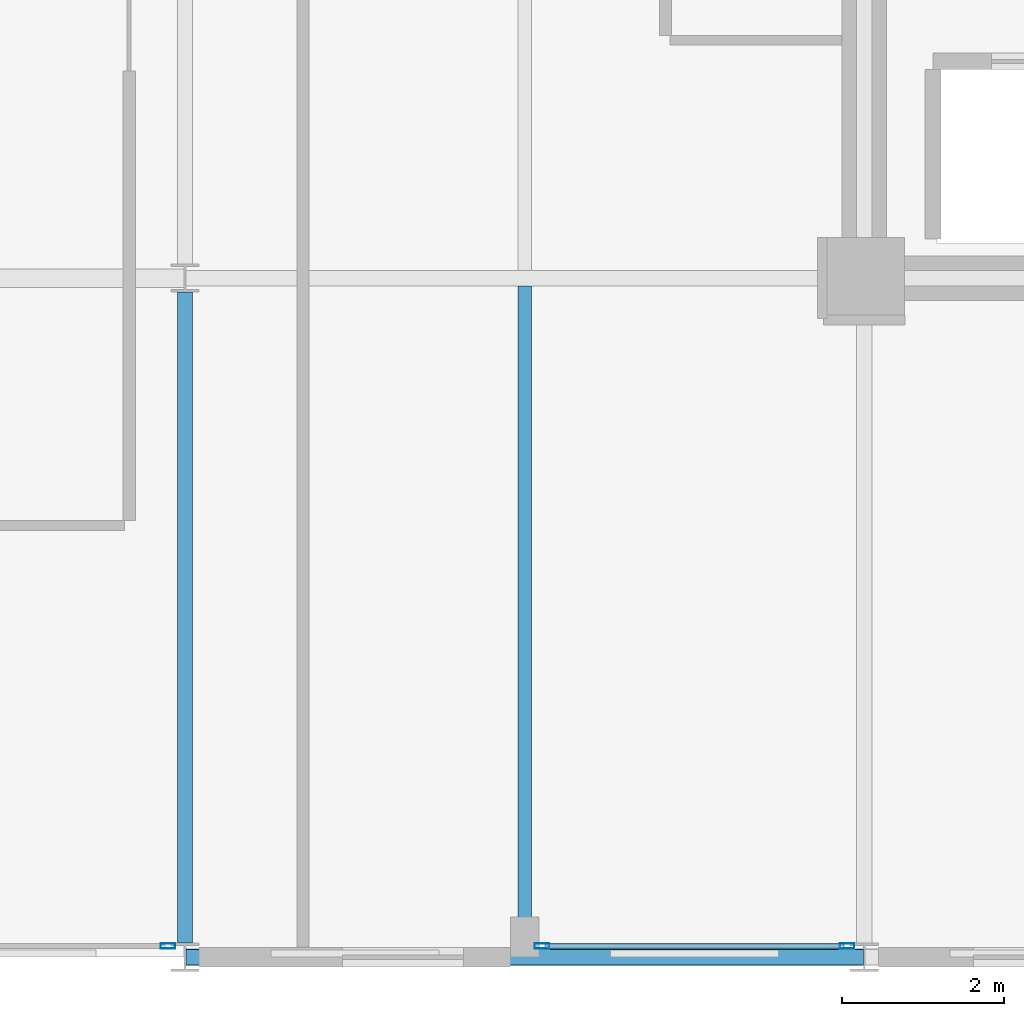
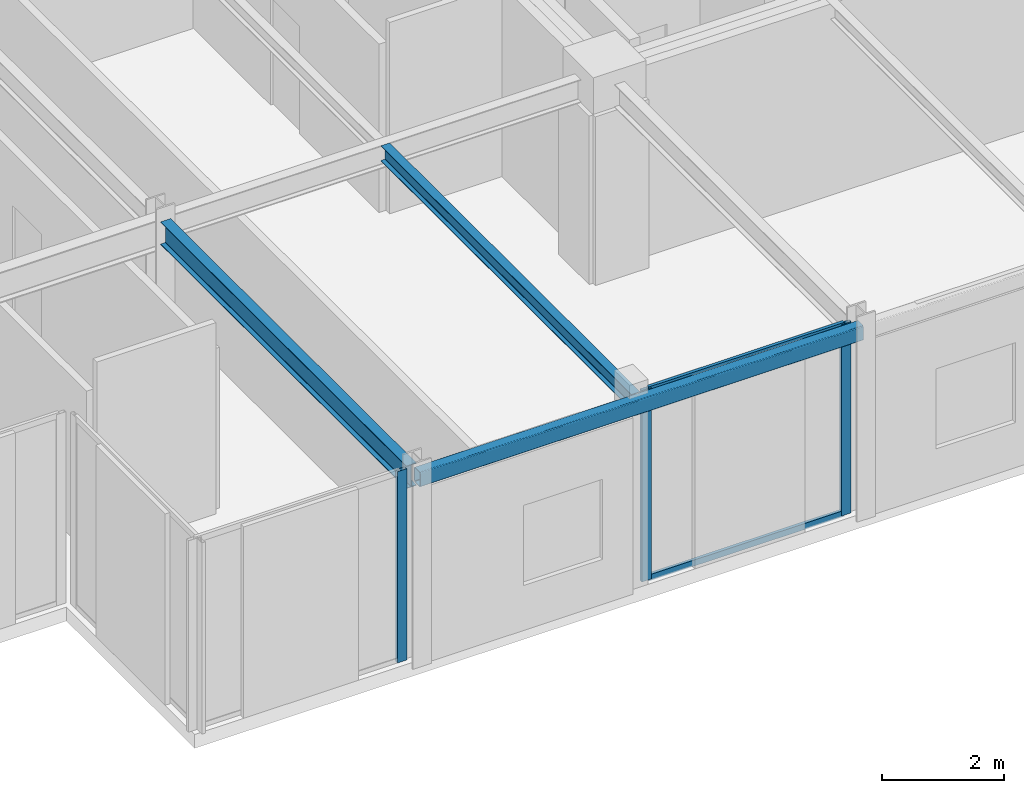
# One storey, part 6 of 29: 5 members, 3 beams, 2 elements without a shape of their own.
"""IFC4 building model written with IfcOpenShell, lengths in metres."""

from ifc_helpers import new_model, si_unit, direction, frame, origin, origin_2d, place, context, subcontext, project, spatial, hollow_rectangle, i_section, extrude, material, layer, layer_set, material_profile, profile_set, type_object, element, aggregate, save


model = new_model("IFC4")

# Units and contexts
model_context = context("Model", 3, precision=1e-05, world=origin(), true_north=direction((0.0, 1.0)))
body_context = subcontext(model_context, "Body", "Model", "MODEL_VIEW")
ifc_project = project(units=[si_unit("LENGTHUNIT", "METRE"), si_unit("AREAUNIT", "SQUARE_METRE"), si_unit("VOLUMEUNIT", "CUBIC_METRE"), si_unit("PLANEANGLEUNIT", "RADIAN"), si_unit("MASSUNIT", "GRAM", prefix="KILO")], contexts=[model_context])

# Site, building, storey
site_placement = place(None, origin())
site = spatial("IfcSite", under=ifc_project, at=site_placement, CompositionType="ELEMENT")
building_placement = place(site_placement, origin())
building = spatial("IfcBuilding", under=site, at=building_placement, Name="Nerrivon Quay Data Exchange", CompositionType="ELEMENT")
storey_placement = place(building_placement, frame((0.0, 0.0, 183.699951171875)))
storey = spatial("IfcBuildingStorey", under=building, at=storey_placement, Name="L43", CompositionType="ELEMENT", Elevation=183.699951171875)

# Beams
ifc_material_1 = material(Name="Steel Grade 350", Category="steel")
ifc_material_profile_1 = material_profile(ifc_material_1, i_section(OverallWidth=0.18994140625, OverallDepth=0.4541015625, WebThickness=0.008544921875, FlangeThickness=0.0126953125, FilletRadius=0.011474609375, at=origin_2d()), Name="460UB67.1")
ifc_profile_set_1 = profile_set([ifc_material_profile_1], Name="Steel Grade 350")
beam_type_1 = type_object("IfcBeamType", Name="BM-G6-460UB67", PredefinedType="BEAM", material=ifc_profile_set_1)
beam_1_placement = place(storey_placement, frame((8.39990234375, 0.175048828125, 3.59814453125), z_axis=(0.0, 1.0, 0.0), x_axis=(-1.0, 0.0, 0.0)))
element("IfcBeam", 1, at=beam_1_placement, inside=storey, type_object=beam_type_1, Name="L43 NS Girder X=8.4 (0.0..8.4)", PredefinedType="BEAM", context=body_context, shape_type="SweptSolid", body=[
    extrude(i_section(OverallWidth=0.18994140625, OverallDepth=0.4541015625, WebThickness=0.008544921875, FlangeThickness=0.0126953125, FilletRadius=0.011474609375, at=origin_2d()), origin(), (0.0, 0.0, 1.0), 8.050048828125),
])
ifc_material_profile_2 = material_profile(ifc_material_1, i_section(OverallWidth=0.166015625, OverallDepth=0.306884765625, WebThickness=0.006591796875, FlangeThickness=0.01171875, FilletRadius=0.011474609375, at=origin_2d()), Name="310UB46.2")
ifc_profile_set_2 = profile_set([ifc_material_profile_2], Name="Steel Grade 350")
beam_type_2 = type_object("IfcBeamType", Name="BM-J5-310UB46", PredefinedType="JOIST", material=ifc_profile_set_2)
beam_2_placement = place(storey_placement, frame((12.60009765625, 0.10009765625, 3.671630859375), z_axis=(0.0, 1.0, 0.0), x_axis=(-1.0, 0.0, 0.0)))
element("IfcBeam", 2, at=beam_2_placement, inside=storey, type_object=beam_type_2, Name="L43 Secondary Joist X=12.6 (0.0..8.4)", PredefinedType="JOIST", context=body_context, shape_type="SweptSolid", body=[
    extrude(i_section(OverallWidth=0.166015625, OverallDepth=0.306884765625, WebThickness=0.006591796875, FlangeThickness=0.01171875, FilletRadius=0.011474609375, at=origin_2d()), origin(), (0.0, 0.0, 1.0), 8.204345703125),
])
ifc_material_2 = material(Name="Steel Grade C350L0 (350 MPa)", Category="steel")
ifc_material_profile_3 = material_profile(ifc_material_2, hollow_rectangle(XDim=0.199951171875, YDim=0.300048828125, WallThickness=0.012451171875, InnerFilletRadius=0.018798828125, OuterFilletRadius=0.03125, at=origin_2d()), Name="300x200x12.5RHS")
ifc_profile_set_3 = profile_set([ifc_material_profile_3], Name="Steel Grade C350L0 (350 MPa)")
beam_type_3 = type_object("IfcBeamType", Name="BM-SP3-300x200RHS", PredefinedType="SPANDREL", material=ifc_profile_set_3)
beam_3_placement = place(storey_placement, frame((8.409912109375, 0.0, 3.675048828125), z_axis=(1.0, 0.0, 0.0), x_axis=(0.0, 1.0, 0.0)))
element("IfcBeam", 3, at=beam_3_placement, inside=storey, type_object=beam_type_3, Name="L43 EW Girder Y=0.0 (8.4..16.8)", PredefinedType="SPANDREL", context=body_context, shape_type="SweptSolid", body=[
    extrude(hollow_rectangle(XDim=0.199951171875, YDim=0.300048828125, WallThickness=0.012451171875, InnerFilletRadius=0.018798828125, OuterFilletRadius=0.03125, at=origin_2d()), origin(), (0.0, 0.0, 1.0), 8.380126953125),
])

# Curtain wall, members
ifc_material_3 = material(Name="Anodised aluminium 6063-T6", Category="aluminium")
ifc_layer = layer(ifc_material_3, 0.195068359375)
ifc_layer_set = layer_set([ifc_layer], Name="Anodised aluminium 6063-T6")
curtain_wall_type = type_object("IfcCurtainWallType", Name="CW-SYS-06", PredefinedType="NOTDEFINED", material=ifc_layer_set)
curtain_wall_1_placement = place(storey_placement, origin())
curtain_wall_1 = element("IfcCurtainWall", 4, at=curtain_wall_1_placement, inside=storey, type_object=curtain_wall_type, Name="L43 Unitised Curtain Wall 26", PredefinedType="NOTDEFINED")
ifc_material_profile_4 = material_profile(ifc_material_3, hollow_rectangle(XDim=0.06494140625, YDim=0.179931640625, WallThickness=0.00341796875, at=origin_2d()), Name="ALU-MULL-180x65")
ifc_profile_set_4 = profile_set([ifc_material_profile_4], Name="Anodised aluminium 6063-T6")
member_type_1 = type_object("IfcMemberType", Name="CWM-180x65", PredefinedType="MULLION", material=ifc_profile_set_4)
member_1_placement = place(storey_placement, frame((16.58740234375, 0.139892578125, 0.0), z_axis=(0.0, 0.0, 1.0), x_axis=(0.0, -1.0, 0.0)))
member_1 = element("IfcMember", 5, at=member_1_placement, type_object=member_type_1, Name="CW06 mullion 1", PredefinedType="MULLION", context=body_context, shape_type="SweptSolid", body=[
    extrude(hollow_rectangle(XDim=0.06494140625, YDim=0.179931640625, WallThickness=0.00341796875, at=origin_2d()), origin(), (0.0, 0.0, 1.0), 3.824951171875),
])
member_2_placement = place(storey_placement, frame((12.8125, 0.139892578125, 0.0), z_axis=(0.0, 0.0, 1.0), x_axis=(0.0, -1.0, 0.0)))
member_2 = element("IfcMember", 6, at=member_2_placement, type_object=member_type_1, Name="CW06 mullion 2", PredefinedType="MULLION", context=body_context, shape_type="SweptSolid", body=[
    extrude(hollow_rectangle(XDim=0.06494140625, YDim=0.179931640625, WallThickness=0.00341796875, at=origin_2d()), origin(), (0.0, 0.0, 1.0), 3.824951171875),
])

# Curtain wall, member
curtain_wall_2_placement = place(storey_placement, origin())
curtain_wall_2 = element("IfcCurtainWall", 7, at=curtain_wall_2_placement, inside=storey, type_object=curtain_wall_type, Name="L43 Unitised Curtain Wall 28", PredefinedType="NOTDEFINED")
member_3_placement = place(storey_placement, frame((8.1875, 0.139892578125, 0.0), z_axis=(0.0, 0.0, 1.0), x_axis=(0.0, -1.0, 0.0)))
member_3 = element("IfcMember", 8, at=member_3_placement, type_object=member_type_1, Name="CW06 mullion 1", PredefinedType="MULLION", context=body_context, shape_type="SweptSolid", body=[
    extrude(hollow_rectangle(XDim=0.06494140625, YDim=0.179931640625, WallThickness=0.00341796875, at=origin_2d()), origin(), (0.0, 0.0, 1.0), 3.824951171875),
])
aggregate(curtain_wall_2, [member_3])

# Member
ifc_material_profile_5 = material_profile(ifc_material_3, hollow_rectangle(XDim=0.06005859375, YDim=0.1201171875, WallThickness=0.003173828125, at=origin_2d()), Name="ALU-TRAN-120x60")
ifc_profile_set_5 = profile_set([ifc_material_profile_5], Name="Anodised aluminium 6063-T6")
member_type_2 = type_object("IfcMemberType", Name="CWT-120x60", PredefinedType="USERDEFINED", material=ifc_profile_set_5)
member_4_placement = place(storey_placement, frame((16.550048828125, 0.139892578125, 0.032470703125), z_axis=(-1.0, 0.0, 0.0), x_axis=(0.0, -1.0, 0.0)))
member_4 = element("IfcMember", 9, at=member_4_placement, type_object=member_type_2, Name="CW06 transom 1.1", ObjectType="TRANSOM", PredefinedType="USERDEFINED", context=body_context, shape_type="SweptSolid", body=[
    extrude(hollow_rectangle(XDim=0.06005859375, YDim=0.1201171875, WallThickness=0.003173828125, at=origin_2d()), origin(), (0.0, 0.0, 1.0), 3.699951171875),
])

member_5_placement = place(storey_placement, frame((16.550048828125, 0.139892578125, 3.79248046875), z_axis=(-1.0, 0.0, 0.0), x_axis=(0.0, -1.0, 0.0)))
member_5 = element("IfcMember", 10, at=member_5_placement, type_object=member_type_2, Name="CW06 transom 1.2", ObjectType="TRANSOM", PredefinedType="USERDEFINED", context=body_context, shape_type="SweptSolid", body=[
    extrude(hollow_rectangle(XDim=0.06005859375, YDim=0.1201171875, WallThickness=0.003173828125, at=origin_2d()), origin(), (0.0, 0.0, 1.0), 3.699951171875),
])

aggregate(curtain_wall_1, [member_1, member_2, member_4, member_5])

save(model, "model.ifc")
